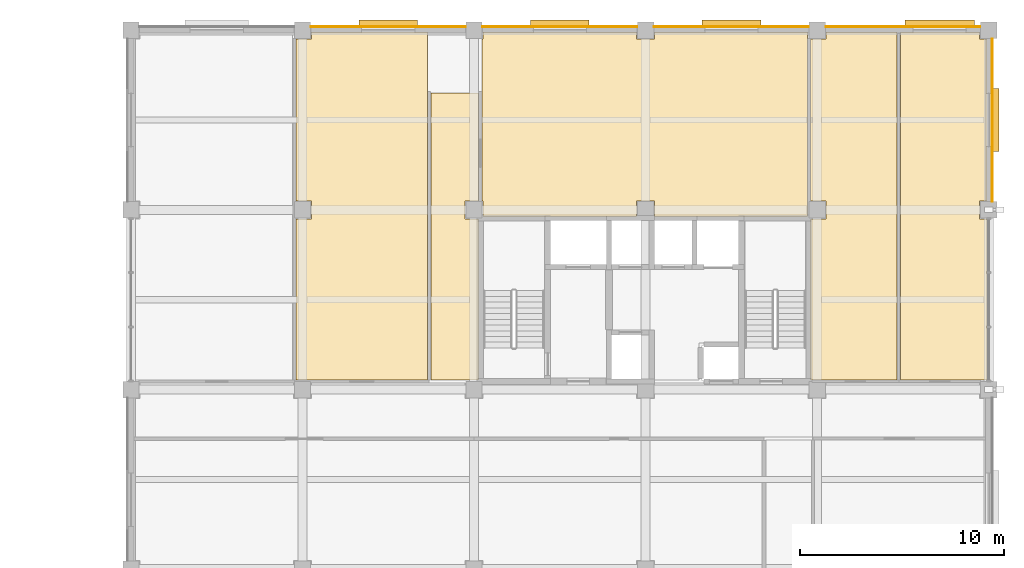
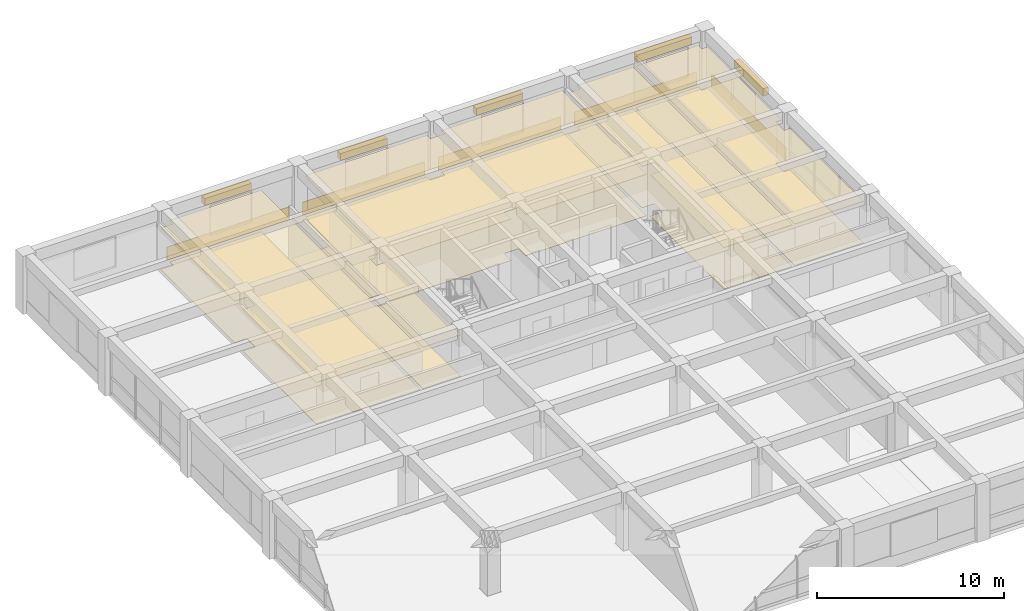
# One storey, part 16 of 16: 15 coverings, 5 shading devices.
"""IFC4 building model written with IfcOpenShell, lengths in metres."""

from ifc_helpers import new_model, si_unit, direction, frame, origin, origin_2d, place, context, subcontext, project, spatial, polyline, rectangle, outline, extrude, material, layer, layer_set, type_object, element, save


model = new_model("IFC4")

# Units and contexts
model_context = context("Model", 3, precision=1e-05, world=origin(), true_north=direction((0.0, 1.0)))
body_context = subcontext(model_context, "Body", "Model", "MODEL_VIEW")
ifc_project = project(units=[si_unit("LENGTHUNIT", "METRE"), si_unit("AREAUNIT", "SQUARE_METRE"), si_unit("VOLUMEUNIT", "CUBIC_METRE"), si_unit("PLANEANGLEUNIT", "RADIAN"), si_unit("MASSUNIT", "GRAM", prefix="KILO")], contexts=[model_context])

# Site, building, storey
site_placement = place(None, origin())
site = spatial("IfcSite", under=ifc_project, at=site_placement, CompositionType="ELEMENT")
building_placement = place(site_placement, origin())
building = spatial("IfcBuilding", under=site, at=building_placement, Name="Kemercrest Conservatory and Botanical Centre", CompositionType="ELEMENT")
storey_placement = place(building_placement, frame((0.0, 0.0, 17.199951171875)))
storey = spatial("IfcBuildingStorey", under=building, at=storey_placement, Name="L04", CompositionType="ELEMENT", Elevation=17.199951171875)

# Coverings
ifc_material_1 = material(Name="Honed limestone almasik ashlar rainscreen", Category="masonry")
ifc_layer_1 = layer(ifc_material_1, 0.0400390625)
ifc_layer_set_1 = layer_set([ifc_layer_1], Name="Honed limestone almasik ashlar rainscreen")
covering_type_1 = type_object("IfcCoveringType", Name="CV-CLD040", PredefinedType="CLADDING", material=ifc_layer_set_1)
covering_1_placement = place(storey_placement, origin())
element("IfcCovering", 1, at=covering_1_placement, inside=storey, type_object=covering_type_1, Name="Exterior stone spandrel cladding (WAL:L04:EXT-228)", PredefinedType="CLADDING", context=body_context, shape_type="SweptSolid", body=[
    extrude(outline(polyline([(176.14990234375, 114.010009765625), (176.18994140625, 114.010009765625), (176.18994140625, 121.989990234375), (176.14990234375, 121.989990234375), (176.14990234375, 114.010009765625)])), origin(), (0.0, 0.0, 1.0), 0.85009765625),
])
covering_2_placement = place(storey_placement, origin())
element("IfcCovering", 2, at=covering_2_placement, inside=storey, type_object=covering_type_1, Name="Exterior stone spandrel cladding (WAL:L04:EXT-229)", PredefinedType="CLADDING", context=body_context, shape_type="SweptSolid", body=[
    extrude(outline(polyline([(175.590087890625, 122.550048828125), (175.590087890625, 122.590087890625), (168.010009765625, 122.590087890625), (168.010009765625, 122.550048828125), (175.590087890625, 122.550048828125)])), origin(), (0.0, 0.0, 1.0), 0.85009765625),
])
covering_3_placement = place(storey_placement, origin())
element("IfcCovering", 3, at=covering_3_placement, inside=storey, type_object=covering_type_1, Name="Exterior stone spandrel cladding (WAL:L04:EXT-230)", PredefinedType="CLADDING", context=body_context, shape_type="SweptSolid", body=[
    extrude(outline(polyline([(167.18994140625, 122.550048828125), (167.18994140625, 122.590087890625), (159.610107421875, 122.590087890625), (159.610107421875, 122.550048828125), (167.18994140625, 122.550048828125)])), origin(), (0.0, 0.0, 1.0), 0.85009765625),
])
covering_4_placement = place(storey_placement, origin())
element("IfcCovering", 4, at=covering_4_placement, inside=storey, type_object=covering_type_1, Name="Exterior stone spandrel cladding (WAL:L04:EXT-231)", PredefinedType="CLADDING", context=body_context, shape_type="SweptSolid", body=[
    extrude(outline(polyline([(158.7900390625, 122.550048828125), (158.7900390625, 122.590087890625), (151.2099609375, 122.590087890625), (151.2099609375, 122.550048828125), (158.7900390625, 122.550048828125)])), origin(), (0.0, 0.0, 1.0), 0.85009765625),
])
covering_5_placement = place(storey_placement, origin())
element("IfcCovering", 5, at=covering_5_placement, inside=storey, type_object=covering_type_1, Name="Exterior stone spandrel cladding (WAL:L04:EXT-232)", PredefinedType="CLADDING", context=body_context, shape_type="SweptSolid", body=[
    extrude(outline(polyline([(150.389892578125, 122.550048828125), (150.389892578125, 122.590087890625), (142.81005859375, 122.590087890625), (142.81005859375, 122.550048828125), (150.389892578125, 122.550048828125)])), origin(), (0.0, 0.0, 1.0), 0.85009765625),
])
ifc_material_2 = material(Name="Perforated acoustic gypsum and mineral-fibre suspended ceiling", Category="gypsum")
ifc_layer_2 = layer(ifc_material_2, 0.034912109375)
ifc_layer_set_2 = layer_set([ifc_layer_2], Name="Perforated acoustic gypsum and mineral-fibre suspended ceiling")
covering_type_2 = type_object("IfcCoveringType", Name="CV-CLG035", PredefinedType="CEILING", material=ifc_layer_set_2)
covering_6_placement = place(storey_placement, frame((0.0, 0.0, 2.699951171875)))
element("IfcCovering", 6, at=covering_6_placement, inside=storey, type_object=covering_type_2, Name="Dry Botany Studio suspended acoustic ceiling", PredefinedType="CEILING", context=body_context, shape_type="SweptSolid", body=[
    extrude(outline(polyline([(142.080078125, 105.280029296875), (148.52001953125, 105.280029296875), (148.52001953125, 122.320068359375), (142.840087890625, 122.320068359375), (142.840087890625, 121.9599609375), (142.080078125, 121.9599609375), (142.080078125, 114.0400390625), (142.840087890625, 114.0400390625), (142.840087890625, 113.159912109375), (142.080078125, 113.159912109375), (142.080078125, 105.280029296875)])), origin(), (0.0, 0.0, 1.0), 0.03515625),
])
covering_7_placement = place(storey_placement, frame((0.0, 0.0, 2.699951171875)))
element("IfcCovering", 7, at=covering_7_placement, inside=storey, type_object=covering_type_2, Name="Autoclave and Media Laboratory suspended acoustic ceiling", PredefinedType="CEILING", context=body_context, shape_type="SweptSolid", body=[
    extrude(outline(polyline([(159.639892578125, 113.280029296875), (167.1201171875, 113.280029296875), (167.1201171875, 122.320068359375), (159.639892578125, 122.320068359375), (159.639892578125, 121.9599609375), (158.760009765625, 121.9599609375), (158.760009765625, 122.320068359375), (151.239990234375, 122.320068359375), (151.239990234375, 121.9599609375), (151.179931640625, 121.9599609375), (151.179931640625, 114.0400390625), (151.239990234375, 114.0400390625), (151.239990234375, 113.280029296875), (158.760009765625, 113.280029296875), (158.760009765625, 114.0400390625), (159.639892578125, 114.0400390625), (159.639892578125, 113.280029296875)])), origin(), (0.0, 0.0, 1.0), 0.03515625),
])
covering_8_placement = place(storey_placement, frame((0.0, 0.0, 2.699951171875)))
element("IfcCovering", 8, at=covering_8_placement, inside=storey, type_object=covering_type_2, Name="North Core Lobby Branch suspended acoustic ceiling", PredefinedType="CEILING", context=body_context, shape_type="SweptSolid", body=[
    extrude(outline(polyline([(148.679931640625, 105.280029296875), (151.02001953125, 105.280029296875), (151.02001953125, 113.159912109375), (150.360107421875, 113.159912109375), (150.360107421875, 114.0400390625), (151.02001953125, 114.0400390625), (151.02001953125, 119.320068359375), (148.679931640625, 119.320068359375), (148.679931640625, 105.280029296875)])), origin(), (0.0, 0.0, 1.0), 0.03515625),
])
covering_9_placement = place(storey_placement, frame((0.0, 0.0, 2.699951171875)))
element("IfcCovering", 9, at=covering_9_placement, inside=storey, type_object=covering_type_2, Name="Staff Washroom suspended acoustic ceiling", PredefinedType="CEILING", context=body_context, shape_type="SweptSolid", body=[
    extrude(outline(polyline([(167.280029296875, 105.280029296875), (171.52001953125, 105.280029296875), (171.52001953125, 122.320068359375), (168.0400390625, 122.320068359375), (168.0400390625, 121.9599609375), (167.280029296875, 121.9599609375), (167.280029296875, 114.0400390625), (168.0400390625, 114.0400390625), (168.0400390625, 113.159912109375), (167.280029296875, 113.159912109375), (167.280029296875, 105.280029296875)])), origin(), (0.0, 0.0, 1.0), 0.03515625),
])
covering_10_placement = place(storey_placement, frame((0.0, 0.0, 2.699951171875)))
element("IfcCovering", 10, at=covering_10_placement, inside=storey, type_object=covering_type_2, Name="Accessible Washroom suspended acoustic ceiling", PredefinedType="CEILING", context=body_context, shape_type="SweptSolid", body=[
    extrude(outline(polyline([(171.679931640625, 105.280029296875), (175.919921875, 105.280029296875), (175.919921875, 113.159912109375), (175.56005859375, 113.159912109375), (175.56005859375, 114.0400390625), (175.919921875, 114.0400390625), (175.919921875, 121.9599609375), (175.56005859375, 121.9599609375), (175.56005859375, 122.320068359375), (171.679931640625, 122.320068359375), (171.679931640625, 105.280029296875)])), origin(), (0.0, 0.0, 1.0), 0.03515625),
])
ifc_material_3 = material(Name="Polished limestone terrazzo and seamless laboratory epoxy flooring", Category="masonry")
ifc_layer_3 = layer(ifc_material_3, 0.02001953125)
ifc_layer_set_3 = layer_set([ifc_layer_3], Name="Polished limestone terrazzo and seamless laboratory epoxy flooring")
covering_type_3 = type_object("IfcCoveringType", Name="CV-FLR020", PredefinedType="FLOORING", material=ifc_layer_set_3)
covering_11_placement = place(storey_placement, origin())
element("IfcCovering", 11, at=covering_11_placement, inside=storey, type_object=covering_type_3, Name="Dry Botany Studio floor finish", PredefinedType="FLOORING", context=body_context, shape_type="SweptSolid", body=[
    extrude(outline(polyline([(142.080078125, 105.280029296875), (148.52001953125, 105.280029296875), (148.52001953125, 122.320068359375), (142.840087890625, 122.320068359375), (142.840087890625, 121.9599609375), (142.080078125, 121.9599609375), (142.080078125, 114.0400390625), (142.840087890625, 114.0400390625), (142.840087890625, 113.159912109375), (142.080078125, 113.159912109375), (142.080078125, 105.280029296875)])), origin(), (0.0, 0.0, 1.0), 0.02001953125),
])
covering_12_placement = place(storey_placement, origin())
element("IfcCovering", 12, at=covering_12_placement, inside=storey, type_object=covering_type_3, Name="Autoclave and Media Laboratory floor finish", PredefinedType="FLOORING", context=body_context, shape_type="SweptSolid", body=[
    extrude(outline(polyline([(159.639892578125, 113.280029296875), (167.1201171875, 113.280029296875), (167.1201171875, 122.320068359375), (159.639892578125, 122.320068359375), (159.639892578125, 121.9599609375), (158.760009765625, 121.9599609375), (158.760009765625, 122.320068359375), (151.239990234375, 122.320068359375), (151.239990234375, 121.9599609375), (151.179931640625, 121.9599609375), (151.179931640625, 114.0400390625), (151.239990234375, 114.0400390625), (151.239990234375, 113.280029296875), (158.760009765625, 113.280029296875), (158.760009765625, 114.0400390625), (159.639892578125, 114.0400390625), (159.639892578125, 113.280029296875)])), origin(), (0.0, 0.0, 1.0), 0.02001953125),
])
covering_13_placement = place(storey_placement, origin())
element("IfcCovering", 13, at=covering_13_placement, inside=storey, type_object=covering_type_3, Name="North Core Lobby Branch floor finish", PredefinedType="FLOORING", context=body_context, shape_type="SweptSolid", body=[
    extrude(outline(polyline([(148.679931640625, 105.280029296875), (151.02001953125, 105.280029296875), (151.02001953125, 113.159912109375), (150.360107421875, 113.159912109375), (150.360107421875, 114.0400390625), (151.02001953125, 114.0400390625), (151.02001953125, 119.320068359375), (148.679931640625, 119.320068359375), (148.679931640625, 105.280029296875)])), origin(), (0.0, 0.0, 1.0), 0.02001953125),
])
covering_14_placement = place(storey_placement, origin())
element("IfcCovering", 14, at=covering_14_placement, inside=storey, type_object=covering_type_3, Name="Staff Washroom floor finish", PredefinedType="FLOORING", context=body_context, shape_type="SweptSolid", body=[
    extrude(outline(polyline([(167.280029296875, 105.280029296875), (171.52001953125, 105.280029296875), (171.52001953125, 122.320068359375), (168.0400390625, 122.320068359375), (168.0400390625, 121.9599609375), (167.280029296875, 121.9599609375), (167.280029296875, 114.0400390625), (168.0400390625, 114.0400390625), (168.0400390625, 113.159912109375), (167.280029296875, 113.159912109375), (167.280029296875, 105.280029296875)])), origin(), (0.0, 0.0, 1.0), 0.02001953125),
])
covering_15_placement = place(storey_placement, origin())
element("IfcCovering", 15, at=covering_15_placement, inside=storey, type_object=covering_type_3, Name="Accessible Washroom floor finish", PredefinedType="FLOORING", context=body_context, shape_type="SweptSolid", body=[
    extrude(outline(polyline([(171.679931640625, 105.280029296875), (175.919921875, 105.280029296875), (175.919921875, 113.159912109375), (175.56005859375, 113.159912109375), (175.56005859375, 114.0400390625), (175.919921875, 114.0400390625), (175.919921875, 121.9599609375), (175.56005859375, 121.9599609375), (175.56005859375, 122.320068359375), (171.679931640625, 122.320068359375), (171.679931640625, 105.280029296875)])), origin(), (0.0, 0.0, 1.0), 0.02001953125),
])

# Shading devices
ifc_material_4 = material(Name="Architectural bronze-anodized extruded aluminium", Category="aluminium")
shading_device_type_1 = type_object("IfcShadingDeviceType", Name="SH-JL01", PredefinedType="JALOUSIE", material=ifc_material_4)
shading_device_1_placement = place(storey_placement, frame((163.39990234375, 122.722900390625, 2.7548828125), z_axis=(0.0, 0.0, 1.0), x_axis=(-1.0, 0.0, 0.0)))
element("IfcShadingDevice", 16, at=shading_device_1_placement, inside=storey, type_object=shading_device_type_1, Name="Solar control louvre visor SH-JL01 (WIN:L04:EXT-230)", PredefinedType="JALOUSIE", context=body_context, shape_type="SweptSolid", body=[
    extrude(rectangle(XDim=2.8798828125, YDim=0.35009765625, at=origin_2d()), origin(), (0.0, 0.0, 1.0), 0.449951171875),
])
shading_device_type_2 = type_object("IfcShadingDeviceType", Name="SH-JL02", PredefinedType="JALOUSIE", material=ifc_material_4)
shading_device_2_placement = place(storey_placement, frame((155.0, 122.722900390625, 2.7548828125), z_axis=(0.0, 0.0, 1.0), x_axis=(-1.0, 0.0, 0.0)))
element("IfcShadingDevice", 17, at=shading_device_2_placement, inside=storey, type_object=shading_device_type_2, Name="Solar control louvre visor SH-JL02 (WIN:L04:EXT-231)", PredefinedType="JALOUSIE", context=body_context, shape_type="SweptSolid", body=[
    extrude(rectangle(XDim=2.8798828125, YDim=0.35009765625, at=origin_2d()), origin(), (0.0, 0.0, 1.0), 0.449951171875),
])
shading_device_type_3 = type_object("IfcShadingDeviceType", Name="SH-JL03", PredefinedType="JALOUSIE", material=ifc_material_4)
shading_device_3_placement = place(storey_placement, frame((146.60009765625, 122.722900390625, 2.7548828125), z_axis=(0.0, 0.0, 1.0), x_axis=(-1.0, 0.0, 0.0)))
element("IfcShadingDevice", 18, at=shading_device_3_placement, inside=storey, type_object=shading_device_type_3, Name="Solar control louvre visor SH-JL03 (WIN:L04:EXT-232)", PredefinedType="JALOUSIE", context=body_context, shape_type="SweptSolid", body=[
    extrude(rectangle(XDim=2.8798828125, YDim=0.35009765625, at=origin_2d()), origin(), (0.0, 0.0, 1.0), 0.449951171875),
])
shading_device_type_4 = type_object("IfcShadingDeviceType", Name="SH-JL04", PredefinedType="JALOUSIE", material=ifc_material_4)
shading_device_4_placement = place(storey_placement, frame((176.322998046875, 118.0, 2.72998046875), z_axis=(0.0, 0.0, 1.0), x_axis=(0.0, 1.0, 0.0)))
element("IfcShadingDevice", 19, at=shading_device_4_placement, inside=storey, type_object=shading_device_type_4, Name="Solar control louvre visor SH-JL04 (WIN:L04:EXT-228)", PredefinedType="JALOUSIE", context=body_context, shape_type="SweptSolid", body=[
    extrude(rectangle(XDim=3.10009765625, YDim=0.35009765625, at=origin_2d()), origin(), (0.0, 0.0, 1.0), 0.5),
])
shading_device_type_5 = type_object("IfcShadingDeviceType", Name="SH-JL05", PredefinedType="JALOUSIE", material=ifc_material_4)
shading_device_5_placement = place(storey_placement, frame((173.594970703125, 122.722900390625, 2.72998046875), z_axis=(0.0, 0.0, 1.0), x_axis=(-1.0, 0.0, 0.0)))
element("IfcShadingDevice", 20, at=shading_device_5_placement, inside=storey, type_object=shading_device_type_5, Name="Solar control louvre visor SH-JL05 (WIN:L04:EXT-229)", PredefinedType="JALOUSIE", context=body_context, shape_type="SweptSolid", body=[
    extrude(rectangle(XDim=3.39990234375, YDim=0.35009765625, at=origin_2d()), origin(), (0.0, 0.0, 1.0), 0.5),
])

save(model, "model.ifc")
